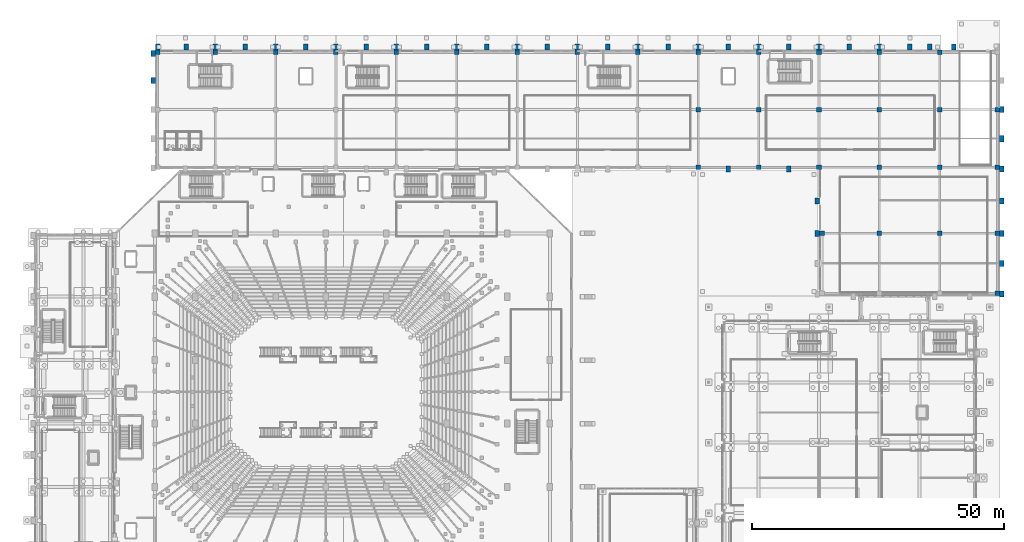
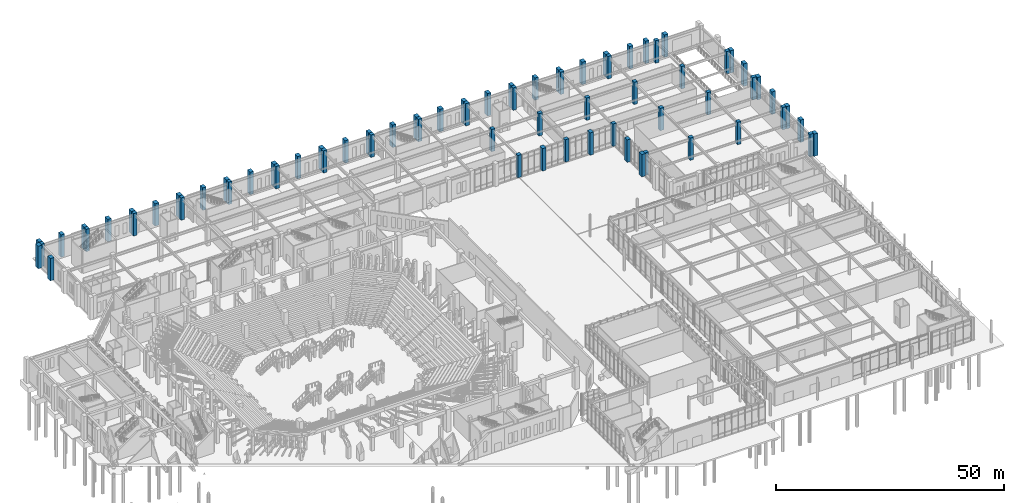
# One storey, part 19 of 143: 72 columns.
"""IFC4 building model written with IfcOpenShell, lengths in metres."""

import ifcopenshell
import ifcopenshell.guid

model = None  # the IFC model being written
_history = None  # IfcOwnerHistory: only IFC2X3 demands one
_inside = {}  # id of a spatial element -> (the spatial element, [elements in it])
_under = {}  # id of a project, library or spatial element -> (it, [spatial elements below it])
_declared = {}  # id of a project -> (the project, [libraries it declares])
_typed = {}  # id of a type object -> (the type object, [elements of that type])
_made_of = {}  # id of a material, layer set ... -> (it, [elements and type objects made of it])


def new_model(schema):
    """Start an empty IFC model of exactly this schema.

    Asked for "IFC4X3", IfcOpenShell would pick the latest addendum, in which some entities
    have other attributes; the version numbers below select the first issue.
    IFC2X3 requires an IfcOwnerHistory on every rooted entity: one is made here for all.
    """
    global model, _history
    if schema == "IFC4X3":
        model = ifcopenshell.file(schema_version=(4, 3, 0, 0))
    else:
        model = ifcopenshell.file(schema=schema)
    _inside.clear()
    _under.clear()
    _declared.clear()
    _typed.clear()
    _made_of.clear()
    _history = None
    if model.schema == "IFC2X3":
        org = make("IfcOrganization", Name="unknown")
        user = make(
            "IfcPersonAndOrganization",
            ThePerson=make("IfcPerson", FamilyName="unknown"),
            TheOrganization=org,
        )
        app = make(
            "IfcApplication",
            ApplicationDeveloper=org,
            Version="unknown",
            ApplicationFullName="unknown",
            ApplicationIdentifier="unknown",
        )
        _history = make(
            "IfcOwnerHistory",
            OwningUser=user,
            OwningApplication=app,
            ChangeAction="ADDED",
            CreationDate=0,
        )
    return model


def make(cls, **values):
    """One entity of the class cls with the attributes given. An attribute that is None is left unset."""
    return model.create_entity(
        cls, **{name: value for name, value in values.items() if value is not None}
    )


def rooted(cls, **values):
    """An entity with a GlobalId (a new one), such as an element, a storey or a relation."""
    return make(cls, GlobalId=ifcopenshell.guid.new(), OwnerHistory=_history, **values)


def si_unit(unit_type, name, prefix=None):
    """IfcSIUnit, for example si_unit("LENGTHUNIT", "METRE", prefix="MILLI")."""
    return make("IfcSIUnit", UnitType=unit_type, Prefix=prefix, Name=name)


def derived_unit(unit_type, elements):
    """IfcDerivedUnit: a product of units, each with its exponent."""
    return make(
        "IfcDerivedUnit",
        Elements=[
            make("IfcDerivedUnitElement", Unit=unit, Exponent=power)
            for unit, power in elements
        ],
        UnitType=unit_type,
    )


def assignment(units):
    """IfcUnitAssignment: the units of a project."""
    return None if units is None else make("IfcUnitAssignment", Units=units)


def point(xyz):
    """IfcCartesianPoint."""
    return None if xyz is None else make("IfcCartesianPoint", Coordinates=xyz)


def direction(xyz):
    """IfcDirection."""
    return None if xyz is None else make("IfcDirection", DirectionRatios=xyz)


def frame(location, z_axis=None, x_axis=None):
    """IfcAxis2Placement3D, a coordinate frame: its origin and axes. An axis left out is left unset."""
    return make(
        "IfcAxis2Placement3D",
        Location=point(location),
        Axis=direction(z_axis),
        RefDirection=direction(x_axis),
    )


def frame_2d(location, x_axis=None):
    """IfcAxis2Placement2D, a coordinate frame in the plane: its origin and x axis."""
    return make(
        "IfcAxis2Placement2D", Location=point(location), RefDirection=direction(x_axis)
    )


def origin():
    """The frame at (0, 0, 0) with its axes left unset."""
    return frame((0.0, 0.0, 0.0))


def origin_2d():
    """The frame at (0, 0) in the plane with its x axis left unset."""
    return frame_2d((0.0, 0.0))


def place(relative_to, where):
    """IfcLocalPlacement: puts the frame where relative to a parent placement (None: the world)."""
    return make(
        "IfcLocalPlacement", PlacementRelTo=relative_to, RelativePlacement=where
    )


def context(
    kind, dimensions, precision=None, world=None, true_north=None, identifier=None
):
    """IfcGeometricRepresentationContext, for example the 3D "Model" context."""
    return make(
        "IfcGeometricRepresentationContext",
        ContextIdentifier=identifier,
        ContextType=kind,
        CoordinateSpaceDimension=dimensions,
        Precision=precision,
        WorldCoordinateSystem=world,
        TrueNorth=true_north,
    )


def subcontext(parent, identifier, kind, view, scale=None):
    """IfcGeometricRepresentationSubContext, for example "Body" below "Model"."""
    return make(
        "IfcGeometricRepresentationSubContext",
        ContextIdentifier=identifier,
        ContextType=kind,
        ParentContext=parent,
        TargetScale=scale,
        TargetView=view,
    )


def project(units=None, contexts=None):
    """IfcProject with its units and contexts."""
    return rooted(
        "IfcProject",
        Name="project",
        RepresentationContexts=contexts,
        UnitsInContext=assignment(units),
    )


def spatial(cls, under=None, at=None, **own):
    """A site, building, storey or space (cls), placed at a placement, below another one or the project."""
    s = rooted(cls, ObjectPlacement=at, **own)
    if under is not None:
        _under.setdefault(under.id(), (under, []))[1].append(s)
    return s


def profile(cls, at=None, kind="AREA", **sizes):
    """A parametric profile (cls). Its sizes go by their IFC names, for example OverallWidth=200.0."""
    return make(cls, ProfileType=kind, Position=at, **sizes)


def rectangle(**sizes):
    """IfcRectangleProfileDef."""
    return profile("IfcRectangleProfileDef", **sizes)


def extrude(swept, where, along, depth):
    """IfcExtrudedAreaSolid: the profile swept, set in the frame where, extruded along a direction by depth."""
    return make(
        "IfcExtrudedAreaSolid",
        SweptArea=swept,
        Position=where,
        ExtrudedDirection=direction(along),
        Depth=depth,
    )


def shape(context_of_items, identifier, shape_type, items):
    """IfcShapeRepresentation: the items that make up one representation, for example the "Body"."""
    return make(
        "IfcShapeRepresentation",
        ContextOfItems=context_of_items,
        RepresentationIdentifier=identifier,
        RepresentationType=shape_type,
        Items=items,
    )


def material(Name=None, Category=None):
    """IfcMaterial."""
    return make("IfcMaterial", Name=Name, Category=Category)


def material_profile(
    of_material, cross_section, Name=None, Category=None, Priority=None
):
    """IfcMaterialProfile: a cross section and its material."""
    return make(
        "IfcMaterialProfile",
        Name=Name,
        Material=of_material,
        Profile=cross_section,
        Priority=Priority,
        Category=Category,
    )


def profile_set(profiles, Name=None, composite=None):
    """IfcMaterialProfileSet."""
    return make(
        "IfcMaterialProfileSet",
        Name=Name,
        MaterialProfiles=profiles,
        CompositeProfile=composite,
    )


def made_of(thing, what):
    """Note that an element or type object is made of a material, layer set ...; save() writes the relation."""
    if what is not None:
        _made_of.setdefault(what.id(), (what, []))[1].append(thing)
    return thing


def type_object(cls, material=None, **own):
    """A type object (cls), such as IfcWallType, which elements share."""
    return made_of(rooted(cls, **own), material)


def element(
    cls,
    number,
    at=None,
    inside=None,
    cuts=None,
    type_object=None,
    material=None,
    context=None,
    identifier="Body",
    shape_type=None,
    held_by="IfcProductDefinitionShape",
    body=None,
    shapes=None,
    **own,
):
    """One element of the class cls, such as IfcWall. Its Tag is "e" and its number.

    at: its placement. inside: the storey or other place that contains it. cuts: it is an
    opening in that element (IfcRelVoidsElement). A single representation is given by context,
    identifier, shape_type and body (its items); several are given by shapes. held_by: the class
    of the entity that holds the representations. save() writes the other relations.
    """
    e = rooted(cls, Tag="e%d" % number, ObjectPlacement=at, **own)
    if body is not None:
        shapes = [shape(context, identifier, shape_type, body)]
    if shapes is not None:
        e.Representation = make(held_by, Representations=shapes)
    if inside is not None:
        _inside.setdefault(inside.id(), (inside, []))[1].append(e)
    if cuts is not None:
        rooted(
            "IfcRelVoidsElement", RelatingBuildingElement=cuts, RelatedOpeningElement=e
        )
    if type_object is not None:
        _typed.setdefault(type_object.id(), (type_object, []))[1].append(e)
    return made_of(e, material)


def aggregate(whole, parts):
    """IfcRelAggregates: a whole, such as a stair, and the parts it consists of."""
    return rooted("IfcRelAggregates", RelatingObject=whole, RelatedObjects=parts)


def save(model, path):
    """Write the relations noted so far, then the file.

    IfcRelAggregates (storeys below a building ...), IfcRelContainedInSpatialStructure (elements
    in a storey), IfcRelDefinesByType, IfcRelAssociatesMaterial and IfcRelDeclares: one each for
    every whole, place, type object, material and project.
    """
    for whole, parts in _under.values():
        aggregate(whole, parts)
    for where, things in _inside.values():
        rooted(
            "IfcRelContainedInSpatialStructure",
            RelatedElements=things,
            RelatingStructure=where,
        )
    for kind, things in _typed.values():
        rooted("IfcRelDefinesByType", RelatedObjects=things, RelatingType=kind)
    for what, things in _made_of.values():
        rooted("IfcRelAssociatesMaterial", RelatedObjects=things, RelatingMaterial=what)
    for by, libraries in _declared.values():
        rooted("IfcRelDeclares", RelatingContext=by, RelatedDefinitions=libraries)
    model.write(path)


model = new_model("IFC4")

# Units and contexts
model_context = context("Model", 3, precision=1e-05, world=origin(), true_north=direction((0.0, 1.0)))
body_context = subcontext(model_context, "Body", "Model", "MODEL_VIEW")
ifc_project = project(units=[si_unit("LENGTHUNIT", "METRE"), si_unit("AREAUNIT", "SQUARE_METRE"), si_unit("VOLUMEUNIT", "CUBIC_METRE"), si_unit("PLANEANGLEUNIT", "RADIAN"), si_unit("MASSUNIT", "GRAM", prefix="KILO"), derived_unit("THERMALTRANSMITTANCEUNIT", [(si_unit("MASSUNIT", "GRAM", prefix="KILO"), 1), (si_unit("TIMEUNIT", "SECOND"), -3), (si_unit("THERMODYNAMICTEMPERATUREUNIT", "KELVIN"), -1)])], contexts=[model_context])

# Site, building, storey
site_placement = place(None, origin())
site = spatial("IfcSite", under=ifc_project, at=site_placement, CompositionType="ELEMENT")
building_placement = place(site_placement, origin())
building = spatial("IfcBuilding", under=site, at=building_placement, Name="Valcora Ridge Arena", CompositionType="ELEMENT")
storey_placement = place(building_placement, origin())
storey = spatial("IfcBuildingStorey", under=building, at=storey_placement, Name="L00", CompositionType="ELEMENT", Elevation=0.0)

# Columns
ifc_material_1 = material(Name="Bush-hammered Andean travertine architectural concrete C45/55", Category="masonry")
ifc_material_profile_1 = material_profile(ifc_material_1, rectangle(XDim=0.89990234375, YDim=1.199951171875, at=origin_2d()), Name="RC 900x1200")
ifc_profile_set_1 = profile_set([ifc_material_profile_1], Name="Bush-hammered Andean travertine architectural concrete C45/55")
column_type_1 = type_object("IfcColumnType", Name="TY-COLUMN-C-BUTT-1200", PredefinedType="PILASTER", material=ifc_profile_set_1)
for number, where, z_axis, x_axis, name in (
    (1, (24.60009765625, 132.6201171875, 0.0), (0.0, 0.0, 1.0), (1.0, 0.0, 0.0), "C-BUTT-1200 COL-C-BUTT-1200-0132"),
    (2, (30.199951171875, 132.6201171875, 0.0), (0.0, 0.0, 1.0), (1.0, 0.0, 0.0), "C-BUTT-1200 COL-C-BUTT-1200-0136"),
    (3, (42.0, 132.6201171875, 0.0), (0.0, 0.0, 1.0), (1.0, 0.0, 0.0), "C-BUTT-1200 COL-C-BUTT-1200-0140"),
    (4, (54.0, 132.6201171875, 0.0), (0.0, 0.0, 1.0), (1.0, 0.0, 0.0), "C-BUTT-1200 COL-C-BUTT-1200-0144"),
    (5, (66.0, 132.6201171875, 0.0), (0.0, 0.0, 1.0), (1.0, 0.0, 0.0), "C-BUTT-1200 COL-C-BUTT-1200-0148"),
    (6, (78.0, 132.6201171875, 0.0), (0.0, 0.0, 1.0), (1.0, 0.0, 0.0), "C-BUTT-1200 COL-C-BUTT-1200-0152"),
    (7, (90.0, 132.6201171875, 0.0), (0.0, 0.0, 1.0), (1.0, 0.0, 0.0), "C-BUTT-1200 COL-C-BUTT-1200-0156"),
    (8, (102.0, 132.6201171875, 0.0), (0.0, 0.0, 1.0), (1.0, 0.0, 0.0), "C-BUTT-1200 COL-C-BUTT-1200-0160"),
    (9, (114.0, 132.6201171875, 0.0), (0.0, 0.0, 1.0), (1.0, 0.0, 0.0), "C-BUTT-1200 COL-C-BUTT-1200-0164"),
    (10, (126.0, 132.6201171875, 0.0), (0.0, 0.0, 1.0), (1.0, 0.0, 0.0), "C-BUTT-1200 COL-C-BUTT-1200-0168"),
    (11, (138.0, 132.6201171875, 0.0), (0.0, 0.0, 1.0), (1.0, 0.0, 0.0), "C-BUTT-1200 COL-C-BUTT-1200-0172"),
    (12, (150.0, 132.6201171875, 0.0), (0.0, 0.0, 1.0), (1.0, 0.0, 0.0), "C-BUTT-1200 COL-C-BUTT-1200-0176"),
    (13, (162.0, 132.6201171875, 0.0), (0.0, 0.0, 1.0), (1.0, 0.0, 0.0), "C-BUTT-1200 COL-C-BUTT-1200-0180"),
    (14, (174.0, 132.6201171875, 0.0), (0.0, 0.0, 1.0), (1.0, 0.0, 0.0), "C-BUTT-1200 COL-C-BUTT-1200-0184"),
    (15, (182.800048828125, 132.6201171875, 0.0), (0.0, 0.0, 1.0), (1.0, 0.0, 0.0), "C-BUTT-1200 COL-C-BUTT-1200-0188"),
    (16, (192.320068359375, 83.5, 0.0), (0.0, 0.0, 1.0), (1.0, 0.0, 0.0), "C-BUTT-1200 COL-C-BUTT-1200-0196"),
    (17, (192.320068359375, 89.60009765625, 0.0), (0.0, 0.0, 1.0), (1.0, 0.0, 0.0), "C-BUTT-1200 COL-C-BUTT-1200-0200"),
    (18, (192.320068359375, 95.60009765625, 0.0), (0.0, 0.0, 1.0), (1.0, 0.0, 0.0), "C-BUTT-1200 COL-C-BUTT-1200-0204"),
    (19, (192.320068359375, 102.0, 0.0), (0.0, 0.0, 1.0), (1.0, 0.0, 0.0), "C-BUTT-1200 COL-C-BUTT-1200-0208"),
    (20, (192.320068359375, 108.39990234375, 0.0), (0.0, 0.0, 1.0), (1.0, 0.0, 0.0), "C-BUTT-1200 COL-C-BUTT-1200-0212"),
    (21, (192.320068359375, 114.39990234375, 0.0), (0.0, 0.0, 1.0), (1.0, 0.0, 0.0), "C-BUTT-1200 COL-C-BUTT-1200-0216"),
    (22, (192.320068359375, 120.199951171875, 0.0), (0.0, 0.0, 1.0), (1.0, 0.0, 0.0), "C-BUTT-1200 COL-C-BUTT-1200-0220"),
    (23, (23.679931640625, 126.0, 0.0), (0.0, 0.0, 1.0), (1.0, 0.0, 0.0), "C-BUTT-1200 COL-C-BUTT-1200-0240"),
    (24, (23.679931640625, 131.35009765625, 0.0), (0.0, 0.0, 1.0), (1.0, 0.0, 0.0), "C-BUTT-1200 COL-C-BUTT-1200-0244"),
    (25, (155.679931640625, 95.60009765625, 0.0), (0.0, 0.0, 1.0), (1.0, 0.0, 0.0), "C-BUTT-1200 COL-C-BUTT-1200-0256"),
    (26, (155.679931640625, 102.0, 0.0), (0.0, 0.0, 1.0), (1.0, 0.0, 0.0), "C-BUTT-1200 COL-C-BUTT-1200-0260"),
    (27, (36.0, 132.6201171875, 0.0), (0.0, 0.0, 1.0), (1.0, 0.0, 0.0), "C-BUTT-1200 COL-C-BUTT-1200-0276"),
    (28, (48.0, 132.6201171875, 0.0), (0.0, 0.0, 1.0), (1.0, 0.0, 0.0), "C-BUTT-1200 COL-C-BUTT-1200-0280"),
    (29, (60.0, 132.6201171875, 0.0), (0.0, 0.0, 1.0), (1.0, 0.0, 0.0), "C-BUTT-1200 COL-C-BUTT-1200-0284"),
    (30, (72.0, 132.6201171875, 0.0), (0.0, 0.0, 1.0), (1.0, 0.0, 0.0), "C-BUTT-1200 COL-C-BUTT-1200-0288"),
    (31, (84.0, 132.6201171875, 0.0), (0.0, 0.0, 1.0), (1.0, 0.0, 0.0), "C-BUTT-1200 COL-C-BUTT-1200-0292"),
    (32, (96.0, 132.6201171875, 0.0), (0.0, 0.0, 1.0), (1.0, 0.0, 0.0), "C-BUTT-1200 COL-C-BUTT-1200-0296"),
    (33, (108.0, 132.6201171875, 0.0), (0.0, 0.0, 1.0), (1.0, 0.0, 0.0), "C-BUTT-1200 COL-C-BUTT-1200-0300"),
    (34, (120.0, 132.6201171875, 0.0), (0.0, 0.0, 1.0), (1.0, 0.0, 0.0), "C-BUTT-1200 COL-C-BUTT-1200-0304"),
    (35, (132.0, 132.6201171875, 0.0), (0.0, 0.0, 1.0), (1.0, 0.0, 0.0), "C-BUTT-1200 COL-C-BUTT-1200-0308"),
    (36, (144.0, 132.6201171875, 0.0), (0.0, 0.0, 1.0), (1.0, 0.0, 0.0), "C-BUTT-1200 COL-C-BUTT-1200-0312"),
    (37, (156.0, 132.6201171875, 0.0), (0.0, 0.0, 1.0), (1.0, 0.0, 0.0), "C-BUTT-1200 COL-C-BUTT-1200-0316"),
    (38, (168.0, 132.6201171875, 0.0), (0.0, 0.0, 1.0), (1.0, 0.0, 0.0), "C-BUTT-1200 COL-C-BUTT-1200-0320"),
    (39, (178.0, 132.6201171875, 0.0), (0.0, 0.0, 1.0), (1.0, 0.0, 0.0), "C-BUTT-1200 COL-C-BUTT-1200-0324"),
    (40, (138.0, 108.419921875, 0.0), (0.0, 0.0, 1.0), (1.0, 0.0, 0.0), "C-BUTT-1200 COL-C-BUTT-1200-0364"),
    (41, (150.0, 108.419921875, 0.0), (0.0, 0.0, 1.0), (1.0, 0.0, 0.0), "C-BUTT-1200 COL-C-BUTT-1200-0368"),
):
    element("IfcColumn", number, at=place(storey_placement, frame(where, z_axis=z_axis, x_axis=x_axis)), inside=storey, type_object=column_type_1, Name=name, PredefinedType="PILASTER", context=body_context, shape_type="SweptSolid", body=[
        extrude(rectangle(XDim=0.89990234375, YDim=1.199951171875, at=origin_2d()), origin(), (0.0, 0.0, 1.0), 6.0),
    ])
ifc_material_2 = material(Name="Concrete C40/50", Category="concrete")
ifc_material_profile_2 = material_profile(ifc_material_2, rectangle(XDim=0.89990234375, YDim=0.89990234375, at=origin_2d()), Name="RC 900x900")
ifc_profile_set_2 = profile_set([ifc_material_profile_2], Name="Concrete C40/50")
column_type_2 = type_object("IfcColumnType", Name="TY-COLUMN-C-RC900B", PredefinedType="COLUMN", material=ifc_profile_set_2)
for number, where, z_axis, x_axis, name in (
    (42, (24.60009765625, 131.550048828125, 0.0), (0.0, 0.0, 1.0), (1.0, 0.0, 0.0), "C-RC900B COL-C-RC900B-0008"),
    (43, (36.0, 131.550048828125, 0.0), (0.0, 0.0, 1.0), (1.0, 0.0, 0.0), "C-RC900B COL-C-RC900B-0017"),
    (44, (48.0, 131.550048828125, 0.0), (0.0, 0.0, 1.0), (1.0, 0.0, 0.0), "C-RC900B COL-C-RC900B-0026"),
    (45, (60.0, 131.550048828125, 0.0), (0.0, 0.0, 1.0), (1.0, 0.0, 0.0), "C-RC900B COL-C-RC900B-0035"),
    (46, (72.0, 131.550048828125, 0.0), (0.0, 0.0, 1.0), (1.0, 0.0, 0.0), "C-RC900B COL-C-RC900B-0044"),
    (47, (84.0, 131.550048828125, 0.0), (0.0, 0.0, 1.0), (1.0, 0.0, 0.0), "C-RC900B COL-C-RC900B-0053"),
    (48, (96.0, 131.550048828125, 0.0), (0.0, 0.0, 1.0), (1.0, 0.0, 0.0), "C-RC900B COL-C-RC900B-0062"),
    (49, (108.0, 131.550048828125, 0.0), (0.0, 0.0, 1.0), (1.0, 0.0, 0.0), "C-RC900B COL-C-RC900B-0071"),
    (50, (120.0, 131.550048828125, 0.0), (0.0, 0.0, 1.0), (1.0, 0.0, 0.0), "C-RC900B COL-C-RC900B-0080"),
    (51, (132.0, 108.699951171875, 0.0), (0.0, 0.0, 1.0), (1.0, 0.0, 0.0), "C-RC900B COL-C-RC900B-0083"),
    (52, (132.0, 120.199951171875, 0.0), (0.0, 0.0, 1.0), (1.0, 0.0, 0.0), "C-RC900B COL-C-RC900B-0086"),
    (53, (132.0, 131.550048828125, 0.0), (0.0, 0.0, 1.0), (1.0, 0.0, 0.0), "C-RC900B COL-C-RC900B-0089"),
    (54, (144.0, 108.699951171875, 0.0), (0.0, 0.0, 1.0), (1.0, 0.0, 0.0), "C-RC900B COL-C-RC900B-0092"),
    (55, (144.0, 120.199951171875, 0.0), (0.0, 0.0, 1.0), (1.0, 0.0, 0.0), "C-RC900B COL-C-RC900B-0095"),
    (56, (144.0, 131.550048828125, 0.0), (0.0, 0.0, 1.0), (1.0, 0.0, 0.0), "C-RC900B COL-C-RC900B-0098"),
    (57, (156.0, 108.699951171875, 0.0), (0.0, 0.0, 1.0), (1.0, 0.0, 0.0), "C-RC900B COL-C-RC900B-0101"),
    (58, (156.0, 120.199951171875, 0.0), (0.0, 0.0, 1.0), (1.0, 0.0, 0.0), "C-RC900B COL-C-RC900B-0104"),
    (59, (156.0, 131.550048828125, 0.0), (0.0, 0.0, 1.0), (1.0, 0.0, 0.0), "C-RC900B COL-C-RC900B-0107"),
    (60, (168.0, 108.699951171875, 0.0), (0.0, 0.0, 1.0), (1.0, 0.0, 0.0), "C-RC900B COL-C-RC900B-0110"),
    (61, (168.0, 120.199951171875, 0.0), (0.0, 0.0, 1.0), (1.0, 0.0, 0.0), "C-RC900B COL-C-RC900B-0113"),
    (62, (168.0, 131.550048828125, 0.0), (0.0, 0.0, 1.0), (1.0, 0.0, 0.0), "C-RC900B COL-C-RC900B-0116"),
    (63, (180.0, 108.699951171875, 0.0), (0.0, 0.0, 1.0), (1.0, 0.0, 0.0), "C-RC900B COL-C-RC900B-0119"),
    (64, (180.0, 120.199951171875, 0.0), (0.0, 0.0, 1.0), (1.0, 0.0, 0.0), "C-RC900B COL-C-RC900B-0122"),
    (65, (180.0, 131.550048828125, 0.0), (0.0, 0.0, 1.0), (1.0, 0.0, 0.0), "C-RC900B COL-C-RC900B-0125"),
    (66, (191.39990234375, 108.699951171875, 0.0), (0.0, 0.0, 1.0), (1.0, 0.0, 0.0), "C-RC900B COL-C-RC900B-0128"),
    (67, (191.39990234375, 120.199951171875, 0.0), (0.0, 0.0, 1.0), (1.0, 0.0, 0.0), "C-RC900B COL-C-RC900B-0131"),
    (68, (156.60009765625, 95.60009765625, 0.0), (0.0, 0.0, 1.0), (1.0, 0.0, 0.0), "C-RC900B COL-C-RC900B-0140"),
    (69, (168.0, 95.60009765625, 0.0), (0.0, 0.0, 1.0), (1.0, 0.0, 0.0), "C-RC900B COL-C-RC900B-0146"),
    (70, (180.0, 95.60009765625, 0.0), (0.0, 0.0, 1.0), (1.0, 0.0, 0.0), "C-RC900B COL-C-RC900B-0152"),
    (71, (191.39990234375, 83.699951171875, 0.0), (0.0, 0.0, 1.0), (1.0, 0.0, 0.0), "C-RC900B COL-C-RC900B-0155"),
    (72, (191.39990234375, 95.60009765625, 0.0), (0.0, 0.0, 1.0), (1.0, 0.0, 0.0), "C-RC900B COL-C-RC900B-0158"),
):
    element("IfcColumn", number, at=place(storey_placement, frame(where, z_axis=z_axis, x_axis=x_axis)), inside=storey, type_object=column_type_2, Name=name, PredefinedType="COLUMN", context=body_context, shape_type="SweptSolid", body=[
        extrude(rectangle(XDim=0.89990234375, YDim=0.89990234375, at=origin_2d()), origin(), (0.0, 0.0, 1.0), 6.0),
    ])

save(model, "model.ifc")
